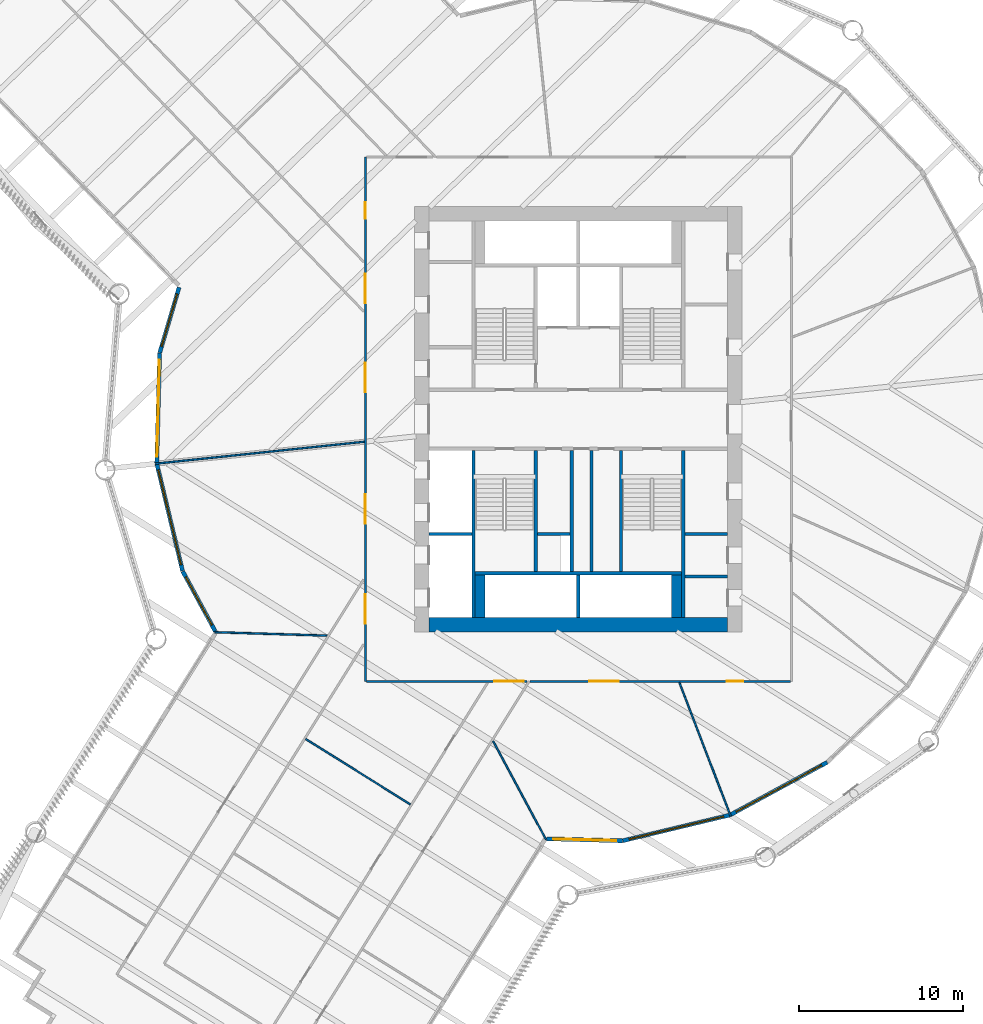
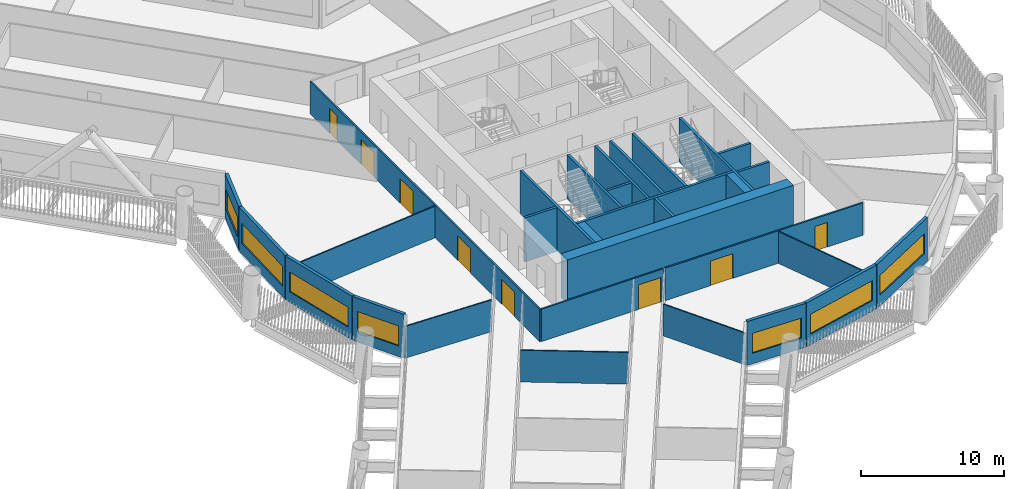
# One storey, part 4 of 22: 30 walls, 8 doors, 7 windows, 15 openings.
"""IFC4 building model written with IfcOpenShell, lengths in metres."""

from ifc_helpers import new_model, si_unit, direction, frame, frame_2d, origin, place, context, subcontext, project, spatial, rectangle, extrude, material, layer, layer_set, type_object, element, fill, save


model = new_model("IFC4")

# Units and contexts
model_context = context("Model", 3, precision=1e-05, world=origin(), true_north=direction((0.0, 1.0)))
body_context = subcontext(model_context, "Body", "Model", "MODEL_VIEW")
ifc_project = project(units=[si_unit("LENGTHUNIT", "METRE"), si_unit("AREAUNIT", "SQUARE_METRE"), si_unit("VOLUMEUNIT", "CUBIC_METRE"), si_unit("PLANEANGLEUNIT", "RADIAN"), si_unit("MASSUNIT", "GRAM", prefix="KILO")], contexts=[model_context])

# Site, building, storey
site_placement = place(None, origin())
site = spatial("IfcSite", under=ifc_project, at=site_placement, CompositionType="ELEMENT")
building_placement = place(site_placement, origin())
building = spatial("IfcBuilding", under=site, at=building_placement, Name="Tarsis Ring Headquarters", CompositionType="ELEMENT")
storey_placement = place(building_placement, frame((0.0, 0.0, 71.199951171875)))
storey = spatial("IfcBuildingStorey", under=building, at=storey_placement, Name="L15", CompositionType="ELEMENT", Elevation=71.199951171875)

# Walls
ifc_material_1 = material(Name="Blockwork", Category="masonry")
ifc_layer_1 = layer(ifc_material_1, 0.199951171875)
ifc_layer_set_1 = layer_set([ifc_layer_1], Name="Core blockwork wall 200")
wall_type_1 = type_object("IfcWallType", Name="Core blockwork wall 200", PredefinedType="PARTITIONING", material=ifc_layer_set_1)
for number, where, z_axis, x_axis, name in (
    (1, (6.5, -9.60009765625, 0.0), (0.0, 0.0, 1.0), (1.0, 0.0, 0.0), "Core partition ED1"),
    (2, (6.5, -7.0, 0.0), (0.0, 0.0, 1.0), (1.0, 0.0, 0.0), "Core partition ED2"),
):
    element("IfcWall", number, at=place(storey_placement, frame(where, z_axis=z_axis, x_axis=x_axis)), inside=storey, type_object=wall_type_1, Name=name, PredefinedType="PARTITIONING", context=body_context, shape_type="SweptSolid", body=[
        extrude(rectangle(XDim=2.60009765625, YDim=0.199951171875, at=frame_2d((1.300048828125, 0.0))), origin(), (0.0, 0.0, 1.0), 3.739990234375),
    ])
wall_1_placement = place(storey_placement, frame((-2.5, -7.0, 0.0), z_axis=(0.0, 0.0, 1.0), x_axis=(1.0, 0.0, 0.0)))
element("IfcWall", 3, at=wall_1_placement, inside=storey, type_object=wall_type_1, Name="Core partition SP1", PredefinedType="PARTITIONING", context=body_context, shape_type="SweptSolid", body=[
    extrude(rectangle(XDim=2.0, YDim=0.199951171875, at=frame_2d((1.0, 0.0))), origin(), (0.0, 0.0, 1.0), 3.739990234375),
])
for number, where, z_axis, x_axis, name in (
    (4, (-0.39990234375, -9.300048828125, 0.0), (0.0, 0.0, 1.0), (0.0, 1.0, 0.0), "Core partition SV1"),
    (5, (0.800048828125, -9.300048828125, 0.0), (0.0, 0.0, 1.0), (0.0, 1.0, 0.0), "Core partition SV2"),
):
    element("IfcWall", number, at=place(storey_placement, frame(where, z_axis=z_axis, x_axis=x_axis)), inside=storey, type_object=wall_type_1, Name=name, PredefinedType="PARTITIONING", context=body_context, shape_type="SweptSolid", body=[
        extrude(rectangle(XDim=7.400146484375, YDim=0.199951171875, at=frame_2d((3.7001953125, 0.0))), origin(), (0.0, 0.0, 1.0), 3.739990234375),
    ])
ifc_material_2 = material(Name="Concrete C60/75", Category="concrete")
ifc_layer_2 = layer(ifc_material_2, 0.89990234375)
ifc_layer_set_2 = layer_set([ifc_layer_2], Name="Core wall 900 C60/75")
wall_type_2 = type_object("IfcWallType", Name="Core wall 900 C60/75", PredefinedType="SHEAR", material=ifc_layer_set_2)
wall_2_placement = place(storey_placement, frame((-9.10009765625, -12.550048828125, 0.0), z_axis=(0.0, 0.0, 1.0), x_axis=(1.0, 0.0, 0.0)))
element("IfcWall", 6, at=wall_2_placement, inside=storey, type_object=wall_type_2, Name="Core wall OS", PredefinedType="SHEAR", context=body_context, shape_type="SweptSolid", body=[
    extrude(rectangle(XDim=18.2001953125, YDim=0.89990234375, at=frame_2d((9.10009765625, 0.0))), origin(), (0.0, 0.0, 1.0), 3.739990234375),
])
ifc_material_3 = material(Name="Gypsum board on steel studs", Category="steel")
ifc_layer_3 = layer(ifc_material_3, 0.10009765625)
ifc_layer_set_3 = layer_set([ifc_layer_3], Name="FL partition 100 unrated")
wall_type_3 = type_object("IfcWallType", Name="FL partition 100 unrated", PredefinedType="PARTITIONING", material=ifc_layer_set_3)
wall_3_placement = place(storey_placement, frame((-25.8056640625, -2.71240234375, 0.0), z_axis=(0.0, 0.0, 1.0), x_axis=(0.994521841147, 0.104528979144, 0.0)))
element("IfcWall", 7, at=wall_3_placement, inside=storey, type_object=wall_type_3, Name="Partition PW3", PredefinedType="PARTITIONING", context=body_context, shape_type="SweptSolid", body=[
    extrude(rectangle(XDim=12.80615234375, YDim=0.10009765625, at=frame_2d((6.403076171875, 0.0))), origin(), (0.0, 0.0, 1.0), 2.699951171875),
])
wall_4_placement = place(storey_placement, frame((6.17041015625, -16.07470703125, 0.0), z_axis=(0.0, 0.0, 1.0), x_axis=(0.358373669181, -0.933578230915, 0.0)))
element("IfcWall", 8, at=wall_4_placement, inside=storey, type_object=wall_type_3, Name="Partition PW3", PredefinedType="PARTITIONING", context=body_context, shape_type="SweptSolid", body=[
    extrude(rectangle(XDim=8.7294921875, YDim=0.10009765625, at=frame_2d((4.36474609375, 0.0))), origin(), (0.0, 0.0, 1.0), 2.699951171875),
])
wall_5_placement = place(storey_placement, frame((-16.6328125, -19.5224609375, 0.0), z_axis=(0.0, 0.0, 1.0), x_axis=(0.848045721117, -0.529923065071, 0.0)))
element("IfcWall", 9, at=wall_5_placement, inside=storey, type_object=wall_type_3, Name="Partition PW3", PredefinedType="PARTITIONING", context=body_context, shape_type="SweptSolid", body=[
    extrude(rectangle(XDim=7.520263671875, YDim=0.10009765625, at=frame_2d((3.76025390625, 0.0))), origin(), (0.0, 0.0, 1.0), 2.699951171875),
])
wall_6_placement = place(storey_placement, frame((-22.18408203125, -12.99853515625, 0.0), z_axis=(0.0, 0.0, 1.0), x_axis=(0.999533064121, -0.030555747876, 0.0)))
element("IfcWall", 10, at=wall_6_placement, inside=storey, type_object=wall_type_3, Name="Partition PW3", PredefinedType="PARTITIONING", context=body_context, shape_type="SweptSolid", body=[
    extrude(rectangle(XDim=6.847412109375, YDim=0.10009765625, at=frame_2d((3.423828125, 0.0))), origin(), (0.0, 0.0, 1.0), 2.699951171875),
])
wall_7_placement = place(storey_placement, frame((-5.19580078125, -19.655029296875, 0.0), z_axis=(0.0, 0.0, 1.0), x_axis=(0.473334689961, -0.880882666011, 0.0)))
element("IfcWall", 11, at=wall_7_placement, inside=storey, type_object=wall_type_3, Name="Partition PW3", PredefinedType="PARTITIONING", context=body_context, shape_type="SweptSolid", body=[
    extrude(rectangle(XDim=6.8134765625, YDim=0.10009765625, at=frame_2d((3.40673828125, 0.0))), origin(), (0.0, 0.0, 1.0), 2.699951171875),
])

# Wall, openings, doors
ifc_layer_4 = layer(ifc_material_3, 0.125)
ifc_layer_set_4 = layer_set([ifc_layer_4], Name="FL partition 125 EI 60 H2770")
wall_type_4 = type_object("IfcWallType", Name="FL partition 125 EI 60 H2770", PredefinedType="PARTITIONING", material=ifc_layer_set_4)
wall_8_placement = place(storey_placement, frame((-13.0, -16.0, 0.0), z_axis=(0.0, 0.0, 1.0), x_axis=(0.0, 1.0, 0.0)))
wall_8 = element("IfcWall", 12, at=wall_8_placement, inside=storey, type_object=wall_type_4, Name="Partition PW1", PredefinedType="PARTITIONING", context=body_context, shape_type="SweptSolid", body=[
    extrude(rectangle(XDim=31.9990234375, YDim=0.125, at=frame_2d((15.99951171875, 0.0))), origin(), (0.0, 0.0, 1.0), 2.77001953125),
])
opening_1_placement = place(wall_8_placement, frame((9.60986328125, 0.0, 0.0)))
opening_1 = element("IfcOpeningElement", 13, at=opening_1_placement, cuts=wall_8, Name="Opening D15.12", PredefinedType="OPENING", context=body_context, shape_type="SweptSolid", body=[
    extrude(rectangle(XDim=1.800048828125, YDim=2.10009765625, at=frame_2d((0.89990234375, 1.050048828125))), frame((0.0, 0.072509765625, 0.0), z_axis=(0.0, -1.0, 0.0), x_axis=(1.0, 0.0, 0.0)), (0.0, 0.0, 1.0), 0.14501953125),
])
opening_2_placement = place(wall_8_placement, frame((17.65673828125, 0.0, 0.0)))
opening_2 = element("IfcOpeningElement", 14, at=opening_2_placement, cuts=wall_8, Name="Opening D15.13", PredefinedType="OPENING", context=body_context, shape_type="SweptSolid", body=[
    extrude(rectangle(XDim=1.800048828125, YDim=2.10009765625, at=frame_2d((0.89990234375, 1.050048828125))), frame((0.0, 0.072509765625, 0.0), z_axis=(0.0, -1.0, 0.0), x_axis=(1.0, 0.0, 0.0)), (0.0, 0.0, 1.0), 0.14501953125),
])
opening_3_placement = place(wall_8_placement, frame((28.251220703125, 0.0, 0.0)))
opening_3 = element("IfcOpeningElement", 15, at=opening_3_placement, cuts=wall_8, Name="Opening D15.14", PredefinedType="OPENING", context=body_context, shape_type="SweptSolid", body=[
    extrude(rectangle(XDim=1.0, YDim=2.10009765625, at=frame_2d((0.5, 1.050048828125))), frame((0.0, 0.072509765625, 0.0), z_axis=(0.0, -1.0, 0.0), x_axis=(1.0, 0.0, 0.0)), (0.0, 0.0, 1.0), 0.14501953125),
])
opening_4_placement = place(wall_8_placement, frame((3.504638671875, 0.0, 0.0)))
opening_4 = element("IfcOpeningElement", 16, at=opening_4_placement, cuts=wall_8, Name="Opening D15.19", PredefinedType="OPENING", context=body_context, shape_type="SweptSolid", body=[
    extrude(rectangle(XDim=1.800048828125, YDim=2.10009765625, at=frame_2d((0.89990234375, 1.050048828125))), frame((0.0, 0.072509765625, 0.0), z_axis=(0.0, -1.0, 0.0), x_axis=(1.0, 0.0, 0.0)), (0.0, 0.0, 1.0), 0.14501953125),
])
opening_5_placement = place(wall_8_placement, frame((23.091552734375, 0.0, 0.0)))
opening_5 = element("IfcOpeningElement", 17, at=opening_5_placement, cuts=wall_8, Name="Opening D15.21", PredefinedType="OPENING", context=body_context, shape_type="SweptSolid", body=[
    extrude(rectangle(XDim=1.800048828125, YDim=2.10009765625, at=frame_2d((0.89990234375, 1.050048828125))), frame((0.0, 0.072509765625, 0.0), z_axis=(0.0, -1.0, 0.0), x_axis=(1.0, 0.0, 0.0)), (0.0, 0.0, 1.0), 0.14501953125),
])
ifc_material_4 = material(Name="Fire-rated timber door leaf in steel frame", Category="steel")
door_type_1 = type_object("IfcDoorType", Name="FL door FD60-1000", OperationType="NOTDEFINED", PredefinedType="DOOR", material=ifc_material_4)
door_1_placement = place(opening_3_placement, origin())
door_1 = element("IfcDoor", 18, at=door_1_placement, inside=storey, type_object=door_type_1, Name="Door D15.14", OperationType="SINGLE_SWING_LEFT", OverallHeight=2.10009765625, OverallWidth=1.0, PredefinedType="DOOR", context=body_context, shape_type="SweptSolid", body=[
    extrude(rectangle(XDim=1.0, YDim=2.10009765625, at=frame_2d((0.5, 1.050048828125))), frame((0.0, 0.02490234375, 0.0), z_axis=(0.0, -1.0, 0.0), x_axis=(1.0, 0.0, 0.0)), (0.0, 0.0, 1.0), 0.050048828125),
])
fill(opening_3, door_1)
door_type_2 = type_object("IfcDoorType", Name="FL door FD60-1800", OperationType="DOUBLE_DOOR_SINGLE_SWING", PredefinedType="DOOR", material=ifc_material_4)
door_2_placement = place(opening_1_placement, origin())
door_2 = element("IfcDoor", 19, at=door_2_placement, inside=storey, type_object=door_type_2, Name="Door D15.12", OperationType="DOUBLE_DOOR_SINGLE_SWING", OverallHeight=2.10009765625, OverallWidth=1.800048828125, PredefinedType="DOOR", context=body_context, shape_type="SweptSolid", body=[
    extrude(rectangle(XDim=1.800048828125, YDim=2.10009765625, at=frame_2d((0.89990234375, 1.050048828125))), frame((0.0, 0.02490234375, 0.0), z_axis=(0.0, -1.0, 0.0), x_axis=(1.0, 0.0, 0.0)), (0.0, 0.0, 1.0), 0.050048828125),
])
fill(opening_1, door_2)
door_3_placement = place(opening_2_placement, origin())
door_3 = element("IfcDoor", 20, at=door_3_placement, inside=storey, type_object=door_type_2, Name="Door D15.13", OperationType="DOUBLE_DOOR_SINGLE_SWING", OverallHeight=2.10009765625, OverallWidth=1.800048828125, PredefinedType="DOOR", context=body_context, shape_type="SweptSolid", body=[
    extrude(rectangle(XDim=1.800048828125, YDim=2.10009765625, at=frame_2d((0.89990234375, 1.050048828125))), frame((0.0, 0.02490234375, 0.0), z_axis=(0.0, -1.0, 0.0), x_axis=(1.0, 0.0, 0.0)), (0.0, 0.0, 1.0), 0.050048828125),
])
fill(opening_2, door_3)
door_4_placement = place(opening_4_placement, origin())
door_4 = element("IfcDoor", 21, at=door_4_placement, inside=storey, type_object=door_type_2, Name="Door D15.19", OperationType="DOUBLE_DOOR_SINGLE_SWING", OverallHeight=2.10009765625, OverallWidth=1.800048828125, PredefinedType="DOOR", context=body_context, shape_type="SweptSolid", body=[
    extrude(rectangle(XDim=1.800048828125, YDim=2.10009765625, at=frame_2d((0.89990234375, 1.050048828125))), frame((0.0, 0.02490234375, 0.0), z_axis=(0.0, -1.0, 0.0), x_axis=(1.0, 0.0, 0.0)), (0.0, 0.0, 1.0), 0.050048828125),
])
fill(opening_4, door_4)
door_5_placement = place(opening_5_placement, origin())
door_5 = element("IfcDoor", 22, at=door_5_placement, inside=storey, type_object=door_type_2, Name="Door D15.21", OperationType="DOUBLE_DOOR_SINGLE_SWING", OverallHeight=2.10009765625, OverallWidth=1.800048828125, PredefinedType="DOOR", context=body_context, shape_type="SweptSolid", body=[
    extrude(rectangle(XDim=1.800048828125, YDim=2.10009765625, at=frame_2d((0.89990234375, 1.050048828125))), frame((0.0, 0.02490234375, 0.0), z_axis=(0.0, -1.0, 0.0), x_axis=(1.0, 0.0, 0.0)), (0.0, 0.0, 1.0), 0.050048828125),
])
fill(opening_5, door_5)

# Wall, opening, door
wall_9_placement = place(storey_placement, frame((-12.93994140625, -16.0, 0.0), z_axis=(0.0, 0.0, 1.0), x_axis=(1.0, 0.0, 0.0)))
wall_9 = element("IfcWall", 23, at=wall_9_placement, inside=storey, type_object=wall_type_4, Name="Partition PW1", PredefinedType="PARTITIONING", context=body_context, shape_type="SweptSolid", body=[
    extrude(rectangle(XDim=9.82177734375, YDim=0.125, at=frame_2d((4.910888671875, 0.0))), origin(), (0.0, 0.0, 1.0), 2.77001953125),
])
opening_6_placement = place(wall_9_placement, frame((7.79638671875, 0.0, 0.0)))
opening_6 = element("IfcOpeningElement", 24, at=opening_6_placement, cuts=wall_9, Name="Opening D15.20", PredefinedType="OPENING", context=body_context, shape_type="SweptSolid", body=[
    extrude(rectangle(XDim=1.800048828125, YDim=2.10009765625, at=frame_2d((0.89990234375, 1.050048828125))), frame((0.0, 0.072509765625, 0.0), z_axis=(0.0, -1.0, 0.0), x_axis=(1.0, 0.0, 0.0)), (0.0, 0.0, 1.0), 0.14501953125),
])
door_6_placement = place(opening_6_placement, origin())
door_6 = element("IfcDoor", 25, at=door_6_placement, inside=storey, type_object=door_type_2, Name="Door D15.20", OperationType="DOUBLE_DOOR_SINGLE_SWING", OverallHeight=2.10009765625, OverallWidth=1.800048828125, PredefinedType="DOOR", context=body_context, shape_type="SweptSolid", body=[
    extrude(rectangle(XDim=1.800048828125, YDim=2.10009765625, at=frame_2d((0.89990234375, 1.050048828125))), frame((0.0, 0.02490234375, 0.0), z_axis=(0.0, -1.0, 0.0), x_axis=(1.0, 0.0, 0.0)), (0.0, 0.0, 1.0), 0.050048828125),
])
fill(opening_6, door_6)

# Wall, openings, doors
wall_10_placement = place(storey_placement, frame((-2.952392578125, -16.0, 0.0), z_axis=(0.0, 0.0, 1.0), x_axis=(1.0, 0.0, 0.0)))
wall_10 = element("IfcWall", 26, at=wall_10_placement, inside=storey, type_object=wall_type_4, Name="Partition PW1", PredefinedType="PARTITIONING", context=body_context, shape_type="SweptSolid", body=[
    extrude(rectangle(XDim=15.892333984375, YDim=0.125, at=frame_2d((7.9462890625, 0.0))), origin(), (0.0, 0.0, 1.0), 2.77001953125),
])
opening_7_placement = place(wall_10_placement, frame((12.023193359375, 0.0, 0.0)))
opening_7 = element("IfcOpeningElement", 27, at=opening_7_placement, cuts=wall_10, Name="Opening D15.06", PredefinedType="OPENING", context=body_context, shape_type="SweptSolid", body=[
    extrude(rectangle(XDim=1.0, YDim=2.10009765625, at=frame_2d((0.5, 1.050048828125))), frame((0.0, 0.072509765625, 0.0), z_axis=(0.0, -1.0, 0.0), x_axis=(1.0, 0.0, 0.0)), (0.0, 0.0, 1.0), 0.14501953125),
])
opening_8_placement = place(wall_10_placement, frame((3.62060546875, 0.0, 0.0)))
opening_8 = element("IfcOpeningElement", 28, at=opening_8_placement, cuts=wall_10, Name="Opening D15.07", PredefinedType="OPENING", context=body_context, shape_type="SweptSolid", body=[
    extrude(rectangle(XDim=1.800048828125, YDim=2.10009765625, at=frame_2d((0.89990234375, 1.050048828125))), frame((0.0, 0.072509765625, 0.0), z_axis=(0.0, -1.0, 0.0), x_axis=(1.0, 0.0, 0.0)), (0.0, 0.0, 1.0), 0.14501953125),
])
door_7_placement = place(opening_7_placement, origin())
door_7 = element("IfcDoor", 29, at=door_7_placement, inside=storey, type_object=door_type_1, Name="Door D15.06", OperationType="SINGLE_SWING_LEFT", OverallHeight=2.10009765625, OverallWidth=1.0, PredefinedType="DOOR", context=body_context, shape_type="SweptSolid", body=[
    extrude(rectangle(XDim=1.0, YDim=2.10009765625, at=frame_2d((0.5, 1.050048828125))), frame((0.0, 0.02490234375, 0.0), z_axis=(0.0, -1.0, 0.0), x_axis=(1.0, 0.0, 0.0)), (0.0, 0.0, 1.0), 0.050048828125),
])
fill(opening_7, door_7)
door_8_placement = place(opening_8_placement, origin())
door_8 = element("IfcDoor", 30, at=door_8_placement, inside=storey, type_object=door_type_2, Name="Door D15.07", OperationType="DOUBLE_DOOR_SINGLE_SWING", OverallHeight=2.10009765625, OverallWidth=1.800048828125, PredefinedType="DOOR", context=body_context, shape_type="SweptSolid", body=[
    extrude(rectangle(XDim=1.800048828125, YDim=2.10009765625, at=frame_2d((0.89990234375, 1.050048828125))), frame((0.0, 0.02490234375, 0.0), z_axis=(0.0, -1.0, 0.0), x_axis=(1.0, 0.0, 0.0)), (0.0, 0.0, 1.0), 0.050048828125),
])
fill(opening_8, door_8)

# Wall, opening, window
ifc_material_5 = material(Name="Terracotta clad insulated panel wall", Category="masonry")
ifc_layer_5 = layer(ifc_material_5, 0.25)
ifc_layer_set_5 = layer_set([ifc_layer_5], Name="Facade wall terracotta panel 250")
wall_type_5 = type_object("IfcWallType", Name="Facade wall terracotta panel 250", PredefinedType="STANDARD", material=ifc_layer_set_5)
wall_11_placement = place(storey_placement, frame((-24.369873046875, 8.0498046875, 0.0), z_axis=(0.0, 0.0, 1.0), x_axis=(-0.284022353783, -0.958817658657, 0.0)))
wall_11 = element("IfcWall", 31, at=wall_11_placement, inside=storey, type_object=wall_type_5, Name="External wall L15-02", PredefinedType="STANDARD", context=body_context, shape_type="SweptSolid", body=[
    extrude(rectangle(XDim=4.15771484375, YDim=0.25, at=frame_2d((2.078857421875, 0.0))), origin(), (0.0, 0.0, 1.0), 3.739990234375),
])
opening_9_placement = place(wall_11_placement, frame((0.420166015625, 0.0, 0.89990234375)))
opening_9 = element("IfcOpeningElement", 32, at=opening_9_placement, cuts=wall_11, Name="Opening WN01", PredefinedType="OPENING", context=body_context, shape_type="SweptSolid", body=[
    extrude(rectangle(XDim=3.35009765625, YDim=1.699951171875, at=frame_2d((1.675048828125, 0.85009765625))), frame((0.0, 0.135009765625, 0.0), z_axis=(0.0, -1.0, 0.0), x_axis=(1.0, 0.0, 0.0)), (0.0, 0.0, 1.0), 0.27001953125),
])
ifc_material_6 = material(Name="Aluminium framed double glazing", Category="aluminium")
window_type_1 = type_object("IfcWindowType", Name="Facade window 3350 x 1700", PartitioningType="SINGLE_PANEL", PredefinedType="WINDOW", material=ifc_material_6)
window_1_placement = place(opening_9_placement, origin())
window_1 = element("IfcWindow", 33, at=window_1_placement, inside=storey, type_object=window_type_1, Name="Window L15-02.1", OverallHeight=1.699951171875, OverallWidth=3.35009765625, PartitioningType="SINGLE_PANEL", PredefinedType="WINDOW", context=body_context, shape_type="SweptSolid", body=[
    extrude(rectangle(XDim=3.35009765625, YDim=1.699951171875, at=frame_2d((1.675048828125, 0.85009765625))), frame((0.0, 0.030029296875, 0.0), z_axis=(0.0, -1.0, 0.0), x_axis=(1.0, 0.0, 0.0)), (0.0, 0.0, 1.0), 0.06005859375),
])
fill(opening_9, window_1)

wall_12_placement = place(storey_placement, frame((-25.555908203125, 4.031005859375, 0.0), z_axis=(0.0, 0.0, 1.0), x_axis=(-0.026152891513, -0.999657954635, 0.0)))
wall_12 = element("IfcWall", 34, at=wall_12_placement, inside=storey, type_object=wall_type_5, Name="External wall L15-03", PredefinedType="STANDARD", context=body_context, shape_type="SweptSolid", body=[
    extrude(rectangle(XDim=6.72119140625, YDim=0.25, at=frame_2d((3.360595703125, 0.0))), origin(), (0.0, 0.0, 1.0), 3.739990234375),
])
opening_10_placement = place(wall_12_placement, frame((0.3857421875, 0.0, 0.89990234375)))
opening_10 = element("IfcOpeningElement", 35, at=opening_10_placement, cuts=wall_12, Name="Opening WN07", PredefinedType="OPENING", context=body_context, shape_type="SweptSolid", body=[
    extrude(rectangle(XDim=5.949951171875, YDim=1.699951171875, at=frame_2d((2.97509765625, 0.85009765625))), frame((0.0, 0.135009765625, 0.0), z_axis=(0.0, -1.0, 0.0), x_axis=(1.0, 0.0, 0.0)), (0.0, 0.0, 1.0), 0.27001953125),
])
window_type_2 = type_object("IfcWindowType", Name="Facade window 5950 x 1700", PartitioningType="SINGLE_PANEL", PredefinedType="WINDOW", material=ifc_material_6)
window_2_placement = place(opening_10_placement, origin())
window_2 = element("IfcWindow", 36, at=window_2_placement, inside=storey, type_object=window_type_2, Name="Window L15-03.1", OverallHeight=1.699951171875, OverallWidth=5.949951171875, PartitioningType="SINGLE_PANEL", PredefinedType="WINDOW", context=body_context, shape_type="SweptSolid", body=[
    extrude(rectangle(XDim=5.949951171875, YDim=1.699951171875, at=frame_2d((2.97509765625, 0.85009765625))), frame((0.0, 0.030029296875, 0.0), z_axis=(0.0, -1.0, 0.0), x_axis=(1.0, 0.0, 0.0)), (0.0, 0.0, 1.0), 0.06005859375),
])
fill(opening_10, window_2)

wall_13_placement = place(storey_placement, frame((-25.728271484375, -2.720458984375, 0.0), z_axis=(0.0, 0.0, 1.0), x_axis=(0.233440265405, -0.972371144413, 0.0)))
wall_13 = element("IfcWall", 37, at=wall_13_placement, inside=storey, type_object=wall_type_5, Name="External wall L15-04", PredefinedType="STANDARD", context=body_context, shape_type="SweptSolid", body=[
    extrude(rectangle(XDim=6.7216796875, YDim=0.25, at=frame_2d((3.36083984375, 0.0))), origin(), (0.0, 0.0, 1.0), 3.739990234375),
])
opening_11_placement = place(wall_13_placement, frame((0.3857421875, 0.0, 0.89990234375)))
opening_11 = element("IfcOpeningElement", 38, at=opening_11_placement, cuts=wall_13, Name="Opening WN07", PredefinedType="OPENING", context=body_context, shape_type="SweptSolid", body=[
    extrude(rectangle(XDim=5.949951171875, YDim=1.699951171875, at=frame_2d((2.97509765625, 0.85009765625))), frame((0.0, 0.135009765625, 0.0), z_axis=(0.0, -1.0, 0.0), x_axis=(1.0, 0.0, 0.0)), (0.0, 0.0, 1.0), 0.27001953125),
])
window_3_placement = place(opening_11_placement, origin())
window_3 = element("IfcWindow", 39, at=window_3_placement, inside=storey, type_object=window_type_2, Name="Window L15-04.1", OverallHeight=1.699951171875, OverallWidth=5.949951171875, PartitioningType="SINGLE_PANEL", PredefinedType="WINDOW", context=body_context, shape_type="SweptSolid", body=[
    extrude(rectangle(XDim=5.949951171875, YDim=1.699951171875, at=frame_2d((2.97509765625, 0.85009765625))), frame((0.0, 0.030029296875, 0.0), z_axis=(0.0, -1.0, 0.0), x_axis=(1.0, 0.0, 0.0)), (0.0, 0.0, 1.0), 0.06005859375),
])
fill(opening_11, window_3)

wall_14_placement = place(storey_placement, frame((-24.1474609375, -9.286865234375, 0.0), z_axis=(0.0, 0.0, 1.0), x_axis=(0.477119076374, -0.878838658094, 0.0)))
wall_14 = element("IfcWall", 40, at=wall_14_placement, inside=storey, type_object=wall_type_5, Name="External wall L15-05", PredefinedType="STANDARD", context=body_context, shape_type="SweptSolid", body=[
    extrude(rectangle(XDim=4.157470703125, YDim=0.25, at=frame_2d((2.07861328125, 0.0))), origin(), (0.0, 0.0, 1.0), 3.739990234375),
])
opening_12_placement = place(wall_14_placement, frame((0.38720703125, 0.0, 0.89990234375)))
opening_12 = element("IfcOpeningElement", 41, at=opening_12_placement, cuts=wall_14, Name="Opening WN01", PredefinedType="OPENING", context=body_context, shape_type="SweptSolid", body=[
    extrude(rectangle(XDim=3.35009765625, YDim=1.699951171875, at=frame_2d((1.675048828125, 0.85009765625))), frame((0.0, 0.135009765625, 0.0), z_axis=(0.0, -1.0, 0.0), x_axis=(1.0, 0.0, 0.0)), (0.0, 0.0, 1.0), 0.27001953125),
])
window_4_placement = place(opening_12_placement, origin())
window_4 = element("IfcWindow", 42, at=window_4_placement, inside=storey, type_object=window_type_1, Name="Window L15-05.1", OverallHeight=1.699951171875, OverallWidth=3.35009765625, PartitioningType="SINGLE_PANEL", PredefinedType="WINDOW", context=body_context, shape_type="SweptSolid", body=[
    extrude(rectangle(XDim=3.35009765625, YDim=1.699951171875, at=frame_2d((1.675048828125, 0.85009765625))), frame((0.0, 0.030029296875, 0.0), z_axis=(0.0, -1.0, 0.0), x_axis=(1.0, 0.0, 0.0)), (0.0, 0.0, 1.0), 0.06005859375),
])
fill(opening_12, window_4)

wall_15_placement = place(storey_placement, frame((-1.92822265625, -25.61083984375, 0.0), z_axis=(0.0, 0.0, 1.0), x_axis=(0.999657495684, -0.026170428409, 0.0)))
wall_15 = element("IfcWall", 43, at=wall_15_placement, inside=storey, type_object=wall_type_5, Name="External wall L15-17", PredefinedType="STANDARD", context=body_context, shape_type="SweptSolid", body=[
    extrude(rectangle(XDim=4.61767578125, YDim=0.25, at=frame_2d((2.308837890625, 0.0))), origin(), (0.0, 0.0, 1.0), 3.739990234375),
])
opening_13_placement = place(wall_15_placement, frame((0.400390625, 0.0, 0.89990234375)))
opening_13 = element("IfcOpeningElement", 44, at=opening_13_placement, cuts=wall_15, Name="Opening WN02", PredefinedType="OPENING", context=body_context, shape_type="SweptSolid", body=[
    extrude(rectangle(XDim=3.85009765625, YDim=1.699951171875, at=frame_2d((1.925048828125, 0.85009765625))), frame((0.0, 0.135009765625, 0.0), z_axis=(0.0, -1.0, 0.0), x_axis=(1.0, 0.0, 0.0)), (0.0, 0.0, 1.0), 0.27001953125),
])
window_type_3 = type_object("IfcWindowType", Name="Facade window 3850 x 1700", PartitioningType="SINGLE_PANEL", PredefinedType="WINDOW", material=ifc_material_6)
window_5_placement = place(opening_13_placement, origin())
window_5 = element("IfcWindow", 45, at=window_5_placement, inside=storey, type_object=window_type_3, Name="Window L15-17.1", OverallHeight=1.699951171875, OverallWidth=3.85009765625, PartitioningType="SINGLE_PANEL", PredefinedType="WINDOW", context=body_context, shape_type="SweptSolid", body=[
    extrude(rectangle(XDim=3.85009765625, YDim=1.699951171875, at=frame_2d((1.925048828125, 0.85009765625))), frame((0.0, 0.030029296875, 0.0), z_axis=(0.0, -1.0, 0.0), x_axis=(1.0, 0.0, 0.0)), (0.0, 0.0, 1.0), 0.06005859375),
])
fill(opening_13, window_5)

wall_16_placement = place(storey_placement, frame((2.720458984375, -25.728271484375, 0.0), z_axis=(0.0, 0.0, 1.0), x_axis=(0.972371144413, 0.233440265405, 0.0)))
wall_16 = element("IfcWall", 46, at=wall_16_placement, inside=storey, type_object=wall_type_5, Name="External wall L15-18", PredefinedType="STANDARD", context=body_context, shape_type="SweptSolid", body=[
    extrude(rectangle(XDim=6.7216796875, YDim=0.25, at=frame_2d((3.36083984375, 0.0))), origin(), (0.0, 0.0, 1.0), 3.739990234375),
])
opening_14_placement = place(wall_16_placement, frame((0.3857421875, 0.0, 0.89990234375)))
opening_14 = element("IfcOpeningElement", 47, at=opening_14_placement, cuts=wall_16, Name="Opening WN07", PredefinedType="OPENING", context=body_context, shape_type="SweptSolid", body=[
    extrude(rectangle(XDim=5.949951171875, YDim=1.699951171875, at=frame_2d((2.97509765625, 0.85009765625))), frame((0.0, 0.135009765625, 0.0), z_axis=(0.0, -1.0, 0.0), x_axis=(1.0, 0.0, 0.0)), (0.0, 0.0, 1.0), 0.27001953125),
])
window_6_placement = place(opening_14_placement, origin())
window_6 = element("IfcWindow", 48, at=window_6_placement, inside=storey, type_object=window_type_2, Name="Window L15-18.1", OverallHeight=1.699951171875, OverallWidth=5.949951171875, PartitioningType="SINGLE_PANEL", PredefinedType="WINDOW", context=body_context, shape_type="SweptSolid", body=[
    extrude(rectangle(XDim=5.949951171875, YDim=1.699951171875, at=frame_2d((2.97509765625, 0.85009765625))), frame((0.0, 0.030029296875, 0.0), z_axis=(0.0, -1.0, 0.0), x_axis=(1.0, 0.0, 0.0)), (0.0, 0.0, 1.0), 0.06005859375),
])
fill(opening_14, window_6)

wall_17_placement = place(storey_placement, frame((9.286865234375, -24.1474609375, 0.0), z_axis=(0.0, 0.0, 1.0), x_axis=(0.878814266747, 0.477164001746, 0.0)))
wall_17 = element("IfcWall", 49, at=wall_17_placement, inside=storey, type_object=wall_type_5, Name="External wall L15-19", PredefinedType="STANDARD", context=body_context, shape_type="SweptSolid", body=[
    extrude(rectangle(XDim=6.721435546875, YDim=0.25, at=frame_2d((3.36083984375, 0.0))), origin(), (0.0, 0.0, 1.0), 3.739990234375),
])
opening_15_placement = place(wall_17_placement, frame((0.3857421875, 0.0, 0.89990234375)))
opening_15 = element("IfcOpeningElement", 50, at=opening_15_placement, cuts=wall_17, Name="Opening WN07", PredefinedType="OPENING", context=body_context, shape_type="SweptSolid", body=[
    extrude(rectangle(XDim=5.949951171875, YDim=1.699951171875, at=frame_2d((2.97509765625, 0.85009765625))), frame((0.0, 0.135009765625, 0.0), z_axis=(0.0, -1.0, 0.0), x_axis=(1.0, 0.0, 0.0)), (0.0, 0.0, 1.0), 0.27001953125),
])
window_7_placement = place(opening_15_placement, origin())
window_7 = element("IfcWindow", 51, at=window_7_placement, inside=storey, type_object=window_type_2, Name="Window L15-19.1", OverallHeight=1.699951171875, OverallWidth=5.949951171875, PartitioningType="SINGLE_PANEL", PredefinedType="WINDOW", context=body_context, shape_type="SweptSolid", body=[
    extrude(rectangle(XDim=5.949951171875, YDim=1.699951171875, at=frame_2d((2.97509765625, 0.85009765625))), frame((0.0, 0.030029296875, 0.0), z_axis=(0.0, -1.0, 0.0), x_axis=(1.0, 0.0, 0.0)), (0.0, 0.0, 1.0), 0.06005859375),
])
fill(opening_15, window_7)

# Walls
ifc_material_7 = material(Name="Concrete C32/40", Category="concrete")
ifc_layer_6 = layer(ifc_material_7, 0.60009765625)
ifc_layer_set_6 = layer_set([ifc_layer_6], Name="Shaft end wall 600 C32/40")
wall_type_6 = type_object("IfcWallType", Name="Shaft end wall 600 C32/40", PredefinedType="SOLIDWALL", material=ifc_layer_set_6)
for number, where, z_axis, x_axis, name in (
    (52, (-6.0, -12.10009765625, 0.0), (0.0, 0.0, 1.0), (0.0, 1.0, 0.0), "Core shaft wall SNE1"),
    (53, (6.0, -12.10009765625, 0.0), (0.0, 0.0, 1.0), (0.0, 1.0, 0.0), "Core shaft wall SNE2"),
):
    element("IfcWall", number, at=place(storey_placement, frame(where, z_axis=z_axis, x_axis=x_axis)), inside=storey, type_object=wall_type_6, Name=name, PredefinedType="SOLIDWALL", context=body_context, shape_type="SweptSolid", body=[
        extrude(rectangle(XDim=2.60009765625, YDim=0.60009765625, at=frame_2d((1.300048828125, 0.0))), origin(), (0.0, 0.0, 1.0), 3.739990234375),
    ])
ifc_layer_7 = layer(ifc_material_7, 0.199951171875)
ifc_layer_set_7 = layer_set([ifc_layer_7], Name="Shaft wall 200 C32/40")
wall_type_7 = type_object("IfcWallType", Name="Shaft wall 200 C32/40", PredefinedType="SOLIDWALL", material=ifc_layer_set_7)
for number, where, z_axis, x_axis, name in (
    (54, (-6.39990234375, -12.10009765625, 0.0), (0.0, 0.0, 1.0), (0.0, 1.0, 0.0), "Core shaft wall WB1"),
    (55, (6.39990234375, -12.10009765625, 0.0), (0.0, 0.0, 1.0), (0.0, 1.0, 0.0), "Core shaft wall EB1"),
):
    element("IfcWall", number, at=place(storey_placement, frame(where, z_axis=z_axis, x_axis=x_axis)), inside=storey, type_object=wall_type_7, Name=name, PredefinedType="SOLIDWALL", context=body_context, shape_type="SweptSolid", body=[
        extrude(rectangle(XDim=10.2001953125, YDim=0.199951171875, at=frame_2d((5.10009765625, 0.0))), origin(), (0.0, 0.0, 1.0), 3.739990234375),
    ])
wall_18_placement = place(storey_placement, frame((-6.300048828125, -9.39990234375, 0.0), z_axis=(0.0, 0.0, 1.0), x_axis=(1.0, 0.0, 0.0)))
element("IfcWall", 56, at=wall_18_placement, inside=storey, type_object=wall_type_7, Name="Core shaft wall SB", PredefinedType="SOLIDWALL", context=body_context, shape_type="SweptSolid", body=[
    extrude(rectangle(XDim=12.60009765625, YDim=0.199951171875, at=frame_2d((6.300048828125, 0.0))), origin(), (0.0, 0.0, 1.0), 3.739990234375),
])
for number, where, z_axis, x_axis, name in (
    (57, (-2.60009765625, -9.300048828125, 0.0), (0.0, 0.0, 1.0), (0.0, 1.0, 0.0), "Core shaft wall SW3"),
    (58, (2.60009765625, -9.300048828125, 0.0), (0.0, 0.0, 1.0), (0.0, 1.0, 0.0), "Core shaft wall SW4"),
):
    element("IfcWall", number, at=place(storey_placement, frame(where, z_axis=z_axis, x_axis=x_axis)), inside=storey, type_object=wall_type_7, Name=name, PredefinedType="SOLIDWALL", context=body_context, shape_type="SweptSolid", body=[
        extrude(rectangle(XDim=7.400146484375, YDim=0.199951171875, at=frame_2d((3.7001953125, 0.0))), origin(), (0.0, 0.0, 1.0), 3.739990234375),
    ])
for number, where, z_axis, x_axis, name in (
    (59, (-9.10009765625, -7.0, 0.0), (0.0, 0.0, 1.0), (1.0, 0.0, 0.0), "Core shaft wall WD2"),
    (60, (0.0, -12.10009765625, 0.0), (0.0, 0.0, 1.0), (0.0, 1.0, 0.0), "Core shaft wall SD2"),
):
    element("IfcWall", number, at=place(storey_placement, frame(where, z_axis=z_axis, x_axis=x_axis)), inside=storey, type_object=wall_type_7, Name=name, PredefinedType="SOLIDWALL", context=body_context, shape_type="SweptSolid", body=[
        extrude(rectangle(XDim=2.60009765625, YDim=0.199951171875, at=frame_2d((1.300048828125, 0.0))), origin(), (0.0, 0.0, 1.0), 3.739990234375),
    ])

save(model, "model.ifc")
